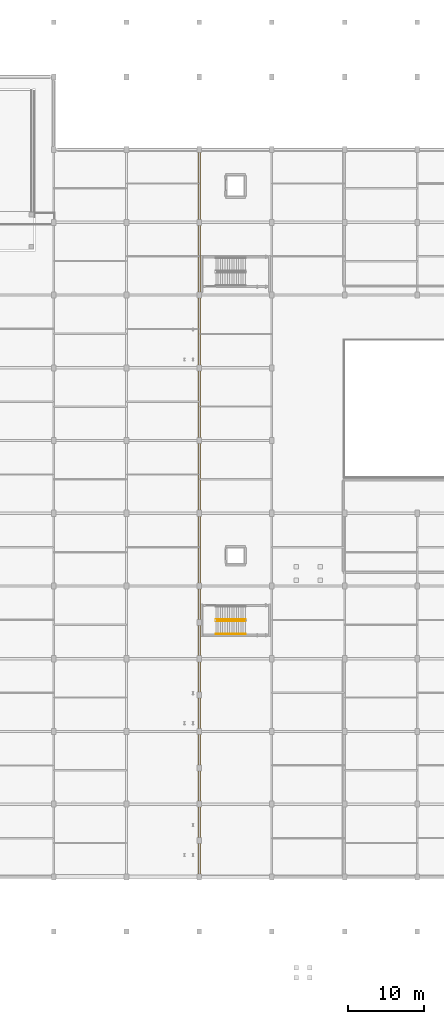
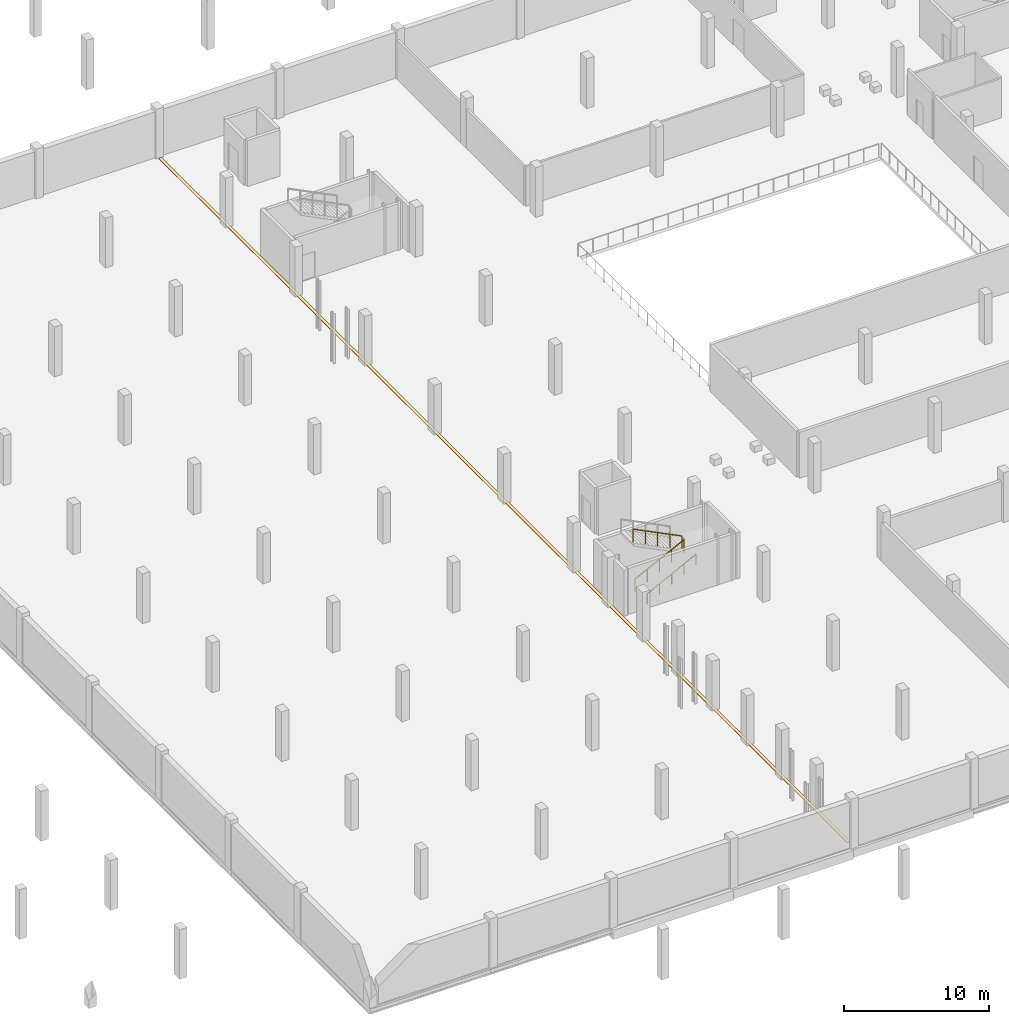
# One storey, part 39 of 47: 3 railings, 1 covering.
"""IFC4 building model written with IfcOpenShell, lengths in metres."""

import ifcopenshell
import ifcopenshell.guid

model = None  # the IFC model being written
_history = None  # IfcOwnerHistory: only IFC2X3 demands one
_inside = {}  # id of a spatial element -> (the spatial element, [elements in it])
_under = {}  # id of a project, library or spatial element -> (it, [spatial elements below it])
_declared = {}  # id of a project -> (the project, [libraries it declares])
_typed = {}  # id of a type object -> (the type object, [elements of that type])
_made_of = {}  # id of a material, layer set ... -> (it, [elements and type objects made of it])


def new_model(schema):
    """Start an empty IFC model of exactly this schema.

    Asked for "IFC4X3", IfcOpenShell would pick the latest addendum, in which some entities
    have other attributes; the version numbers below select the first issue.
    IFC2X3 requires an IfcOwnerHistory on every rooted entity: one is made here for all.
    """
    global model, _history
    if schema == "IFC4X3":
        model = ifcopenshell.file(schema_version=(4, 3, 0, 0))
    else:
        model = ifcopenshell.file(schema=schema)
    _inside.clear()
    _under.clear()
    _declared.clear()
    _typed.clear()
    _made_of.clear()
    _history = None
    if model.schema == "IFC2X3":
        org = make("IfcOrganization", Name="unknown")
        user = make(
            "IfcPersonAndOrganization",
            ThePerson=make("IfcPerson", FamilyName="unknown"),
            TheOrganization=org,
        )
        app = make(
            "IfcApplication",
            ApplicationDeveloper=org,
            Version="unknown",
            ApplicationFullName="unknown",
            ApplicationIdentifier="unknown",
        )
        _history = make(
            "IfcOwnerHistory",
            OwningUser=user,
            OwningApplication=app,
            ChangeAction="ADDED",
            CreationDate=0,
        )
    return model


def make(cls, **values):
    """One entity of the class cls with the attributes given. An attribute that is None is left unset."""
    return model.create_entity(
        cls, **{name: value for name, value in values.items() if value is not None}
    )


def rooted(cls, **values):
    """An entity with a GlobalId (a new one), such as an element, a storey or a relation."""
    return make(cls, GlobalId=ifcopenshell.guid.new(), OwnerHistory=_history, **values)


def si_unit(unit_type, name, prefix=None):
    """IfcSIUnit, for example si_unit("LENGTHUNIT", "METRE", prefix="MILLI")."""
    return make("IfcSIUnit", UnitType=unit_type, Prefix=prefix, Name=name)


def assignment(units):
    """IfcUnitAssignment: the units of a project."""
    return None if units is None else make("IfcUnitAssignment", Units=units)


def point(xyz):
    """IfcCartesianPoint."""
    return None if xyz is None else make("IfcCartesianPoint", Coordinates=xyz)


def direction(xyz):
    """IfcDirection."""
    return None if xyz is None else make("IfcDirection", DirectionRatios=xyz)


def frame(location, z_axis=None, x_axis=None):
    """IfcAxis2Placement3D, a coordinate frame: its origin and axes. An axis left out is left unset."""
    return make(
        "IfcAxis2Placement3D",
        Location=point(location),
        Axis=direction(z_axis),
        RefDirection=direction(x_axis),
    )


def frame_2d(location, x_axis=None):
    """IfcAxis2Placement2D, a coordinate frame in the plane: its origin and x axis."""
    return make(
        "IfcAxis2Placement2D", Location=point(location), RefDirection=direction(x_axis)
    )


def origin():
    """The frame at (0, 0, 0) with its axes left unset."""
    return frame((0.0, 0.0, 0.0))


def origin_2d():
    """The frame at (0, 0) in the plane with its x axis left unset."""
    return frame_2d((0.0, 0.0))


def place(relative_to, where):
    """IfcLocalPlacement: puts the frame where relative to a parent placement (None: the world)."""
    return make(
        "IfcLocalPlacement", PlacementRelTo=relative_to, RelativePlacement=where
    )


def context(
    kind, dimensions, precision=None, world=None, true_north=None, identifier=None
):
    """IfcGeometricRepresentationContext, for example the 3D "Model" context."""
    return make(
        "IfcGeometricRepresentationContext",
        ContextIdentifier=identifier,
        ContextType=kind,
        CoordinateSpaceDimension=dimensions,
        Precision=precision,
        WorldCoordinateSystem=world,
        TrueNorth=true_north,
    )


def subcontext(parent, identifier, kind, view, scale=None):
    """IfcGeometricRepresentationSubContext, for example "Body" below "Model"."""
    return make(
        "IfcGeometricRepresentationSubContext",
        ContextIdentifier=identifier,
        ContextType=kind,
        ParentContext=parent,
        TargetScale=scale,
        TargetView=view,
    )


def project(units=None, contexts=None):
    """IfcProject with its units and contexts."""
    return rooted(
        "IfcProject",
        Name="project",
        RepresentationContexts=contexts,
        UnitsInContext=assignment(units),
    )


def spatial(cls, under=None, at=None, **own):
    """A site, building, storey or space (cls), placed at a placement, below another one or the project."""
    s = rooted(cls, ObjectPlacement=at, **own)
    if under is not None:
        _under.setdefault(under.id(), (under, []))[1].append(s)
    return s


def polyline(points):
    """IfcPolyline through the points."""
    return make("IfcPolyline", Points=[point(p) for p in points])


def profile(cls, at=None, kind="AREA", **sizes):
    """A parametric profile (cls). Its sizes go by their IFC names, for example OverallWidth=200.0."""
    return make(cls, ProfileType=kind, Position=at, **sizes)


def circle(**sizes):
    """IfcCircleProfileDef."""
    return profile("IfcCircleProfileDef", **sizes)


def outline(outer, holes=None, kind="AREA"):
    """IfcArbitraryClosedProfileDef: a profile drawn as a closed curve; with holes, ...WithVoids."""
    if holes is None:
        return make("IfcArbitraryClosedProfileDef", ProfileType=kind, OuterCurve=outer)
    return make(
        "IfcArbitraryProfileDefWithVoids",
        ProfileType=kind,
        OuterCurve=outer,
        InnerCurves=holes,
    )


def extrude(swept, where, along, depth):
    """IfcExtrudedAreaSolid: the profile swept, set in the frame where, extruded along a direction by depth."""
    return make(
        "IfcExtrudedAreaSolid",
        SweptArea=swept,
        Position=where,
        ExtrudedDirection=direction(along),
        Depth=depth,
    )


def shape(context_of_items, identifier, shape_type, items):
    """IfcShapeRepresentation: the items that make up one representation, for example the "Body"."""
    return make(
        "IfcShapeRepresentation",
        ContextOfItems=context_of_items,
        RepresentationIdentifier=identifier,
        RepresentationType=shape_type,
        Items=items,
    )


def material(Name=None, Category=None):
    """IfcMaterial."""
    return make("IfcMaterial", Name=Name, Category=Category)


def layer(
    of_material, thickness, ventilated=None, Name=None, Category=None, Priority=None
):
    """IfcMaterialLayer: one layer of a wall or slab, of a material (None: an air gap)."""
    return make(
        "IfcMaterialLayer",
        Material=of_material,
        LayerThickness=thickness,
        IsVentilated=ventilated,
        Name=Name,
        Category=Category,
        Priority=Priority,
    )


def layer_set(layers, Name=None):
    """IfcMaterialLayerSet."""
    return make("IfcMaterialLayerSet", MaterialLayers=layers, LayerSetName=Name)


def made_of(thing, what):
    """Note that an element or type object is made of a material, layer set ...; save() writes the relation."""
    if what is not None:
        _made_of.setdefault(what.id(), (what, []))[1].append(thing)
    return thing


def type_object(cls, material=None, **own):
    """A type object (cls), such as IfcWallType, which elements share."""
    return made_of(rooted(cls, **own), material)


def element(
    cls,
    number,
    at=None,
    inside=None,
    cuts=None,
    type_object=None,
    material=None,
    context=None,
    identifier="Body",
    shape_type=None,
    held_by="IfcProductDefinitionShape",
    body=None,
    shapes=None,
    **own,
):
    """One element of the class cls, such as IfcWall. Its Tag is "e" and its number.

    at: its placement. inside: the storey or other place that contains it. cuts: it is an
    opening in that element (IfcRelVoidsElement). A single representation is given by context,
    identifier, shape_type and body (its items); several are given by shapes. held_by: the class
    of the entity that holds the representations. save() writes the other relations.
    """
    e = rooted(cls, Tag="e%d" % number, ObjectPlacement=at, **own)
    if body is not None:
        shapes = [shape(context, identifier, shape_type, body)]
    if shapes is not None:
        e.Representation = make(held_by, Representations=shapes)
    if inside is not None:
        _inside.setdefault(inside.id(), (inside, []))[1].append(e)
    if cuts is not None:
        rooted(
            "IfcRelVoidsElement", RelatingBuildingElement=cuts, RelatedOpeningElement=e
        )
    if type_object is not None:
        _typed.setdefault(type_object.id(), (type_object, []))[1].append(e)
    return made_of(e, material)


def aggregate(whole, parts):
    """IfcRelAggregates: a whole, such as a stair, and the parts it consists of."""
    return rooted("IfcRelAggregates", RelatingObject=whole, RelatedObjects=parts)


def save(model, path):
    """Write the relations noted so far, then the file.

    IfcRelAggregates (storeys below a building ...), IfcRelContainedInSpatialStructure (elements
    in a storey), IfcRelDefinesByType, IfcRelAssociatesMaterial and IfcRelDeclares: one each for
    every whole, place, type object, material and project.
    """
    for whole, parts in _under.values():
        aggregate(whole, parts)
    for where, things in _inside.values():
        rooted(
            "IfcRelContainedInSpatialStructure",
            RelatedElements=things,
            RelatingStructure=where,
        )
    for kind, things in _typed.values():
        rooted("IfcRelDefinesByType", RelatedObjects=things, RelatingType=kind)
    for what, things in _made_of.values():
        rooted("IfcRelAssociatesMaterial", RelatedObjects=things, RelatingMaterial=what)
    for by, libraries in _declared.values():
        rooted("IfcRelDeclares", RelatingContext=by, RelatedDefinitions=libraries)
    model.write(path)


model = new_model("IFC4")

# Units and contexts
model_context = context("Model", 3, precision=1e-05, world=origin(), true_north=direction((0.0, 1.0)))
body_context = subcontext(model_context, "Body", "Model", "MODEL_VIEW")
ifc_project = project(units=[si_unit("LENGTHUNIT", "METRE"), si_unit("AREAUNIT", "SQUARE_METRE"), si_unit("VOLUMEUNIT", "CUBIC_METRE"), si_unit("PLANEANGLEUNIT", "RADIAN"), si_unit("MASSUNIT", "GRAM", prefix="KILO")], contexts=[model_context])

# Site, building, storey
site_placement = place(None, origin())
site = spatial("IfcSite", under=ifc_project, at=site_placement, CompositionType="ELEMENT")
building_placement = place(site_placement, origin())
building = spatial("IfcBuilding", under=site, at=building_placement, Name="Zevrakil Square Congress Hotel", CompositionType="ELEMENT")
storey_placement = place(building_placement, frame((0.0, 0.0, -4.199951171875)))
storey = spatial("IfcBuildingStorey", under=building, at=storey_placement, Name="B1", CompositionType="ELEMENT", Elevation=-4.199951171875)

# Covering
ifc_material_1 = material(Name="Honed Addis Basalt Stone Flooring", Category="masonry")
ifc_layer = layer(ifc_material_1, 0.030029296875)
ifc_layer_set = layer_set([ifc_layer], Name="Honed Addis Basalt Stone Flooring")
covering_type = type_object("IfcCoveringType", Name="COV-FLOR-BASALT-030", PredefinedType="FLOORING", material=ifc_layer_set)
covering_placement = place(storey_placement, origin())
element("IfcCovering", 1, at=covering_placement, inside=storey, type_object=covering_type, Name="B1 flush movement-joint floor cover plate 03", PredefinedType="FLOORING", context=body_context, shape_type="SweptSolid", body=[
    extrude(outline(polyline([(55.080078125, 7.60009765625), (55.320068359375, 7.60009765625), (55.320068359375, 102.800048828125), (55.080078125, 102.800048828125), (55.080078125, 7.60009765625)])), origin(), (0.0, 0.0, 1.0), 0.030029296875),
])

# Railings
ifc_material_2 = material(Name="Steel S355", Category="steel")
railing_type_1 = type_object("IfcRailingType", Name="RLG-STAIR-GUARD-1100", PredefinedType="BALUSTRADE", material=ifc_material_2)
railing_1_placement = place(storey_placement, frame((57.39990234375, 40.949951171875, 0.14990234375)))
element("IfcRailing", 2, at=railing_1_placement, inside=storey, type_object=railing_type_1, Name="B1 ST04 stair guard 1", PredefinedType="BALUSTRADE", context=body_context, shape_type="SweptSolid", body=[
    extrude(circle(Radius=0.02392578125, at=origin_2d()), frame((0.0, 0.0, 1.076171875), z_axis=(0.894438388696, 0.0, 0.447191199406), x_axis=(0.0, 1.0, 0.0)), (0.0, 0.0, 1.0), 4.3603515625),
    extrude(circle(Radius=0.02099609375, at=origin_2d()), origin(), (0.0, 0.0, 1.0), 1.052001953125),
    extrude(circle(Radius=0.02099609375, at=origin_2d()), frame((0.97509765625, 0.0, 0.487548828125)), (0.0, 0.0, 1.0), 1.052001953125),
    extrude(circle(Radius=0.02099609375, at=origin_2d()), frame((1.9501953125, 0.0, 0.97509765625)), (0.0, 0.0, 1.0), 1.052001953125),
    extrude(circle(Radius=0.02099609375, at=origin_2d()), frame((2.925048828125, 0.0, 1.46240234375)), (0.0, 0.0, 1.0), 1.052001953125),
    extrude(circle(Radius=0.02099609375, at=origin_2d()), frame((3.900146484375, 0.0, 1.949951171875)), (0.0, 0.0, 1.0), 1.052001953125),
])
railing_2_placement = place(storey_placement, frame((61.300048828125, 41.199951171875, 2.25)))
element("IfcRailing", 3, at=railing_2_placement, inside=storey, type_object=railing_type_1, Name="B1 ST04 stair guard 3", PredefinedType="BALUSTRADE", context=body_context, shape_type="SweptSolid", body=[
    extrude(circle(Radius=0.02392578125, at=origin_2d()), frame((0.0, 0.0, 1.076171875), z_axis=(-0.894438388696, 0.0, 0.447191199406), x_axis=(0.0, -1.0, 0.0)), (0.0, 0.0, 1.0), 4.3603515625),
    extrude(circle(Radius=0.02099609375, at=origin_2d()), origin(), (0.0, 0.0, 1.0), 1.052001953125),
    extrude(circle(Radius=0.02099609375, at=origin_2d()), frame((-0.97509765625, 0.0, 0.487548828125)), (0.0, 0.0, 1.0), 1.052001953125),
    extrude(circle(Radius=0.02099609375, at=origin_2d()), frame((-1.9501953125, 0.0, 0.97509765625)), (0.0, 0.0, 1.0), 1.052001953125),
    extrude(circle(Radius=0.02099609375, at=origin_2d()), frame((-2.925048828125, 0.0, 1.46240234375)), (0.0, 0.0, 1.0), 1.052001953125),
    extrude(circle(Radius=0.02099609375, at=origin_2d()), frame((-3.900146484375, 0.0, 1.949951171875)), (0.0, 0.0, 1.0), 1.052001953125),
])
ifc_material_3 = material(Name="Steel S355", Category="steel")
railing_type_2 = type_object("IfcRailingType", Name="RLG-STAIR-HAND-900", PredefinedType="HANDRAIL", material=ifc_material_3)
railing_3_placement = place(storey_placement, frame((57.39990234375, 39.25, 0.14990234375)))
element("IfcRailing", 4, at=railing_3_placement, inside=storey, type_object=railing_type_2, Name="B1 ST04 stair handrail 1", PredefinedType="HANDRAIL", context=body_context, shape_type="SweptSolid", body=[
    extrude(circle(Radius=0.02392578125, at=origin_2d()), frame((0.0, 0.0, 0.8759765625), z_axis=(0.894438388696, 0.0, 0.447191199406), x_axis=(0.0, 1.0, 0.0)), (0.0, 0.0, 1.0), 4.3603515625),
    extrude(circle(Radius=0.02099609375, at=origin_2d()), origin(), (0.0, 0.0, 1.0), 0.851806640625),
    extrude(circle(Radius=0.02099609375, at=origin_2d()), frame((0.97509765625, 0.0, 0.487548828125)), (0.0, 0.0, 1.0), 0.851806640625),
    extrude(circle(Radius=0.02099609375, at=origin_2d()), frame((1.9501953125, 0.0, 0.97509765625)), (0.0, 0.0, 1.0), 0.851806640625),
    extrude(circle(Radius=0.02099609375, at=origin_2d()), frame((2.925048828125, 0.0, 1.46240234375)), (0.0, 0.0, 1.0), 0.851806640625),
    extrude(circle(Radius=0.02099609375, at=origin_2d()), frame((3.900146484375, 0.0, 1.949951171875)), (0.0, 0.0, 1.0), 0.851806640625),
])

save(model, "model.ifc")
